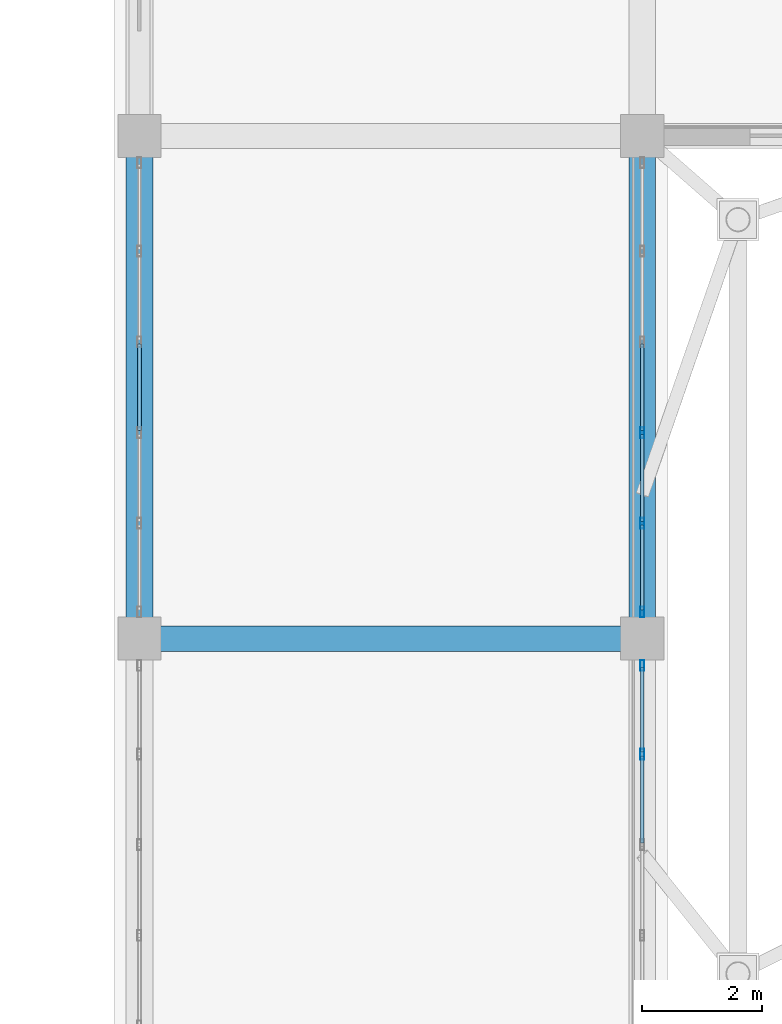
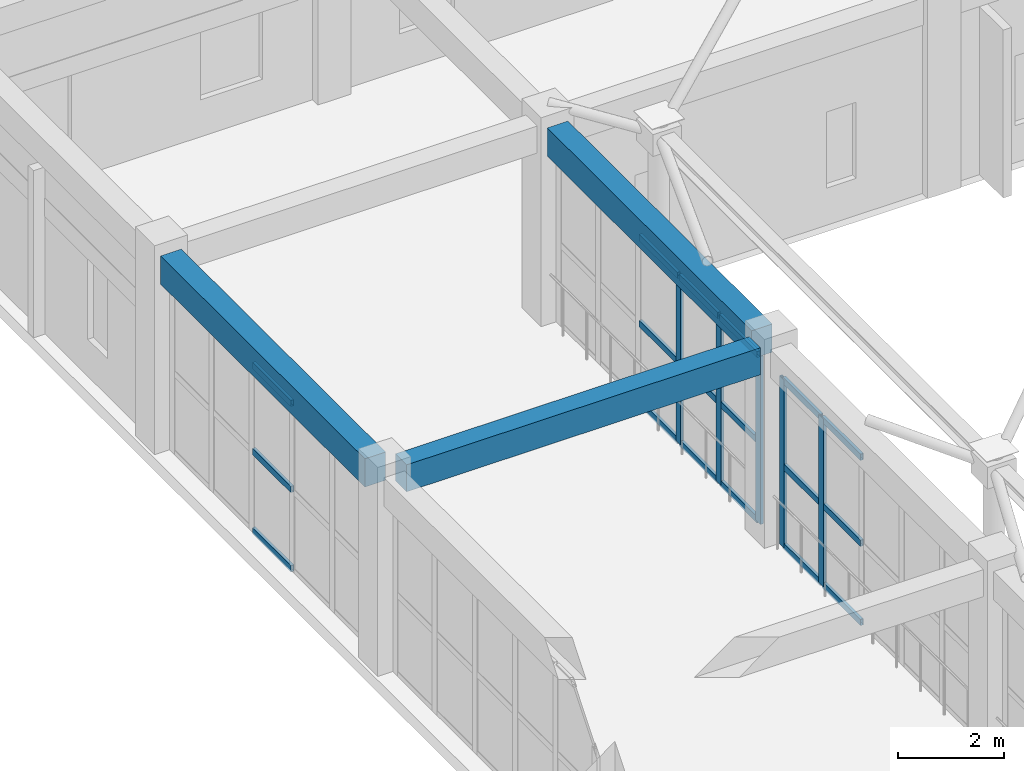
# One storey, part 97 of 158: 23 members, 3 beams, 3 elements without a shape of their own.
"""IFC4 building model written with IfcOpenShell, lengths in metres."""

from ifc_helpers import new_model, si_unit, direction, frame, origin, origin_2d, place, context, subcontext, project, spatial, rectangle, hollow_rectangle, extrude, material, layer, layer_set, material_profile, profile_set, type_object, element, aggregate, save


model = new_model("IFC4")

# Units and contexts
model_context = context("Model", 3, precision=1e-05, world=origin(), true_north=direction((0.0, 1.0)))
body_context = subcontext(model_context, "Body", "Model", "MODEL_VIEW")
ifc_project = project(units=[si_unit("LENGTHUNIT", "METRE"), si_unit("AREAUNIT", "SQUARE_METRE"), si_unit("VOLUMEUNIT", "CUBIC_METRE"), si_unit("PLANEANGLEUNIT", "RADIAN"), si_unit("MASSUNIT", "GRAM", prefix="KILO")], contexts=[model_context])

# Site, building, storey
site_placement = place(None, origin())
site = spatial("IfcSite", under=ifc_project, at=site_placement, CompositionType="ELEMENT")
building_placement = place(site_placement, origin())
building = spatial("IfcBuilding", under=site, at=building_placement, Name="Trelvath General Hospital", CompositionType="ELEMENT")
storey_placement = place(building_placement, frame((0.0, 0.0, 8.10009765625)))
storey = spatial("IfcBuildingStorey", under=building, at=storey_placement, Name="L02", CompositionType="ELEMENT", Elevation=8.10009765625)

# Beams
ifc_material_1 = material(Name="Concrete C35/45", Category="concrete")
ifc_material_profile_1 = material_profile(ifc_material_1, rectangle(XDim=0.419921875, YDim=0.6201171875, at=origin_2d()), Name="RCB420x620")
ifc_profile_set_1 = profile_set([ifc_material_profile_1], Name="Concrete C35/45")
beam_type_1 = type_object("IfcBeamType", Name="Beam RC420x620", PredefinedType="BEAM", material=ifc_profile_set_1)
beam_placement = place(storey_placement, frame((134.7548828125, 58.800048828125, 4.2099609375), z_axis=(1.0, 0.0, 0.0), x_axis=(0.0, 1.0, 0.0)))
element("IfcBeam", 1, at=beam_placement, inside=storey, type_object=beam_type_1, Name="Grid Beam BX-216H", PredefinedType="BEAM", context=body_context, shape_type="SweptSolid", body=[
    extrude(rectangle(XDim=0.419921875, YDim=0.6201171875, at=origin_2d()), origin(), (0.0, 0.0, 1.0), 7.690185546875),
])
ifc_material_2 = material(Name="Concrete C35/45", Category="concrete")
ifc_material_profile_2 = material_profile(ifc_material_2, rectangle(XDim=0.449951171875, YDim=0.64990234375, at=origin_2d()), Name="RCB450x650")
ifc_profile_set_2 = profile_set([ifc_material_profile_2], Name="Concrete C35/45")
beam_type_2 = type_object("IfcBeamType", Name="Beam RC450x650", PredefinedType="BEAM", material=ifc_profile_set_2)
for number, where, z_axis, x_axis, name in (
    (2, (134.39990234375, 59.155029296875, 4.19482421875), (0.0, 1.0, 0.0), (-1.0, 0.0, 0.0), "Grid Beam BY-216H"),
    (3, (142.800048828125, 59.155029296875, 4.19482421875), (0.0, 1.0, 0.0), (-1.0, 0.0, 0.0), "Grid Beam BY-217H"),
):
    element("IfcBeam", number, at=place(storey_placement, frame(where, z_axis=z_axis, x_axis=x_axis)), inside=storey, type_object=beam_type_2, Name=name, PredefinedType="BEAM", context=body_context, shape_type="SweptSolid", body=[
        extrude(rectangle(XDim=0.449951171875, YDim=0.64990234375, at=origin_2d()), origin(), (0.0, 0.0, 1.0), 7.68994140625),
    ])

# Curtain wall, members
ifc_material_3 = material(Name="Anodised aluminium and low-E glass", Category="aluminium")
ifc_layer = layer(ifc_material_3, 0.179931640625)
ifc_layer_set = layer_set([ifc_layer], Name="Anodised aluminium and low-E glass")
curtain_wall_type = type_object("IfcCurtainWallType", Name="CW Facade 757 386 18", PredefinedType="USERDEFINED", material=ifc_layer_set)
curtain_wall_1_placement = place(storey_placement, origin())
curtain_wall_1 = element("IfcCurtainWall", 4, at=curtain_wall_1_placement, inside=storey, type_object=curtain_wall_type, Name="Facade Curtain Wall CW-053", ObjectType="Unitised Glazed Curtain Wall", PredefinedType="USERDEFINED")
ifc_material_4 = material(Name="Anodised aluminium", Category="aluminium")
ifc_material_profile_3 = material_profile(ifc_material_4, hollow_rectangle(XDim=0.06494140625, YDim=0.179931640625, WallThickness=0.0048828125, at=origin_2d()), Name="RHS65x180x5")
ifc_profile_set_3 = profile_set([ifc_material_profile_3], Name="Anodised aluminium")
member_type_1 = type_object("IfcMemberType", Name="CurtainMullion 65x180", PredefinedType="MULLION", material=ifc_profile_set_3)
member_1_placement = place(storey_placement, frame((142.800048828125, 58.3525390625, 0.0), z_axis=(0.0, 0.0, 1.0), x_axis=(1.0, 0.0, 0.0)))
member_1 = element("IfcMember", 5, at=member_1_placement, type_object=member_type_1, Name="CW-053 mullion 1", PredefinedType="MULLION", context=body_context, shape_type="SweptSolid", body=[
    extrude(hollow_rectangle(XDim=0.06494140625, YDim=0.179931640625, WallThickness=0.0048828125, at=origin_2d()), origin(), (0.0, 0.0, 1.0), 3.85986328125),
])
member_2_placement = place(storey_placement, frame((142.800048828125, 56.87109375, 0.0), z_axis=(0.0, 0.0, 1.0), x_axis=(1.0, 0.0, 0.0)))
member_2 = element("IfcMember", 6, at=member_2_placement, type_object=member_type_1, Name="CW-053 mullion 2", PredefinedType="MULLION", context=body_context, shape_type="SweptSolid", body=[
    extrude(hollow_rectangle(XDim=0.06494140625, YDim=0.179931640625, WallThickness=0.0048828125, at=origin_2d()), origin(), (0.0, 0.0, 1.0), 3.85986328125),
])

curtain_wall_2_placement = place(storey_placement, origin())
curtain_wall_2 = element("IfcCurtainWall", 7, at=curtain_wall_2_placement, inside=storey, type_object=curtain_wall_type, Name="Facade Curtain Wall CW-055", ObjectType="Unitised Glazed Curtain Wall", PredefinedType="USERDEFINED")
member_3_placement = place(storey_placement, frame((142.800048828125, 62.242919921875, 0.0), z_axis=(0.0, 0.0, 1.0), x_axis=(1.0, 0.0, 0.0)))
member_3 = element("IfcMember", 8, at=member_3_placement, type_object=member_type_1, Name="CW-055 mullion 4", PredefinedType="MULLION", context=body_context, shape_type="SweptSolid", body=[
    extrude(hollow_rectangle(XDim=0.06494140625, YDim=0.179931640625, WallThickness=0.0048828125, at=origin_2d()), origin(), (0.0, 0.0, 1.0), 3.85986328125),
])
member_4_placement = place(storey_placement, frame((142.800048828125, 60.72900390625, 0.0), z_axis=(0.0, 0.0, 1.0), x_axis=(1.0, 0.0, 0.0)))
member_4 = element("IfcMember", 9, at=member_4_placement, type_object=member_type_1, Name="CW-055 mullion 5", PredefinedType="MULLION", context=body_context, shape_type="SweptSolid", body=[
    extrude(hollow_rectangle(XDim=0.06494140625, YDim=0.179931640625, WallThickness=0.0048828125, at=origin_2d()), origin(), (0.0, 0.0, 1.0), 3.85986328125),
])
member_5_placement = place(storey_placement, frame((142.800048828125, 59.24755859375, 0.0), z_axis=(0.0, 0.0, 1.0), x_axis=(1.0, 0.0, 0.0)))
member_5 = element("IfcMember", 10, at=member_5_placement, type_object=member_type_1, Name="CW-055 mullion 6", PredefinedType="MULLION", context=body_context, shape_type="SweptSolid", body=[
    extrude(hollow_rectangle(XDim=0.06494140625, YDim=0.179931640625, WallThickness=0.0048828125, at=origin_2d()), origin(), (0.0, 0.0, 1.0), 3.85986328125),
])

# Member
ifc_material_5 = material(Name="Anodised aluminium", Category="aluminium")
ifc_material_profile_4 = material_profile(ifc_material_5, hollow_rectangle(XDim=0.06494140625, YDim=0.14501953125, WallThickness=0.00390625, at=origin_2d()), Name="RHS65x145x4")
ifc_profile_set_4 = profile_set([ifc_material_profile_4], Name="Anodised aluminium")
member_type_2 = type_object("IfcMemberType", Name="CurtainTransom 65x145", PredefinedType="USERDEFINED", material=ifc_profile_set_4)
member_6_placement = place(storey_placement, frame((142.800048828125, 58.320068359375, 0.032470703125), z_axis=(0.0, -1.0, 0.0), x_axis=(1.0, 0.0, 0.0)))
member_6 = element("IfcMember", 11, at=member_6_placement, type_object=member_type_2, Name="CW-053 transom 1.1", ObjectType="TRANSOM", PredefinedType="USERDEFINED", context=body_context, shape_type="SweptSolid", body=[
    extrude(hollow_rectangle(XDim=0.06494140625, YDim=0.14501953125, WallThickness=0.00390625, at=origin_2d()), origin(), (0.0, 0.0, 1.0), 1.41650390625),
])

member_7_placement = place(storey_placement, frame((142.800048828125, 58.320068359375, 1.852783203125), z_axis=(0.0, -1.0, 0.0), x_axis=(1.0, 0.0, 0.0)))
member_7 = element("IfcMember", 12, at=member_7_placement, type_object=member_type_2, Name="CW-053 transom 1.2", ObjectType="TRANSOM", PredefinedType="USERDEFINED", context=body_context, shape_type="SweptSolid", body=[
    extrude(hollow_rectangle(XDim=0.06494140625, YDim=0.14501953125, WallThickness=0.00390625, at=origin_2d()), origin(), (0.0, 0.0, 1.0), 1.41650390625),
])

member_8_placement = place(storey_placement, frame((142.800048828125, 58.320068359375, 3.827392578125), z_axis=(0.0, -1.0, 0.0), x_axis=(1.0, 0.0, 0.0)))
member_8 = element("IfcMember", 13, at=member_8_placement, type_object=member_type_2, Name="CW-053 transom 1.3", ObjectType="TRANSOM", PredefinedType="USERDEFINED", context=body_context, shape_type="SweptSolid", body=[
    extrude(hollow_rectangle(XDim=0.06494140625, YDim=0.14501953125, WallThickness=0.00390625, at=origin_2d()), origin(), (0.0, 0.0, 1.0), 1.41650390625),
])

member_9_placement = place(storey_placement, frame((142.800048828125, 56.83837890625, 0.032470703125), z_axis=(0.0, -1.0, 0.0), x_axis=(1.0, 0.0, 0.0)))
member_9 = element("IfcMember", 14, at=member_9_placement, type_object=member_type_2, Name="CW-053 transom 2.1", ObjectType="TRANSOM", PredefinedType="USERDEFINED", context=body_context, shape_type="SweptSolid", body=[
    extrude(hollow_rectangle(XDim=0.06494140625, YDim=0.14501953125, WallThickness=0.00390625, at=origin_2d()), origin(), (0.0, 0.0, 1.0), 1.448974609375),
])

member_10_placement = place(storey_placement, frame((142.800048828125, 56.83837890625, 1.852783203125), z_axis=(0.0, -1.0, 0.0), x_axis=(1.0, 0.0, 0.0)))
member_10 = element("IfcMember", 15, at=member_10_placement, type_object=member_type_2, Name="CW-053 transom 2.2", ObjectType="TRANSOM", PredefinedType="USERDEFINED", context=body_context, shape_type="SweptSolid", body=[
    extrude(hollow_rectangle(XDim=0.06494140625, YDim=0.14501953125, WallThickness=0.00390625, at=origin_2d()), origin(), (0.0, 0.0, 1.0), 1.448974609375),
])

member_11_placement = place(storey_placement, frame((142.800048828125, 56.83837890625, 3.827392578125), z_axis=(0.0, -1.0, 0.0), x_axis=(1.0, 0.0, 0.0)))
member_11 = element("IfcMember", 16, at=member_11_placement, type_object=member_type_2, Name="CW-053 transom 2.3", ObjectType="TRANSOM", PredefinedType="USERDEFINED", context=body_context, shape_type="SweptSolid", body=[
    extrude(hollow_rectangle(XDim=0.06494140625, YDim=0.14501953125, WallThickness=0.00390625, at=origin_2d()), origin(), (0.0, 0.0, 1.0), 1.448974609375),
])

aggregate(curtain_wall_1, [member_1, member_2, member_6, member_7, member_8, member_9, member_10, member_11])

# Curtain wall, members
curtain_wall_3_placement = place(storey_placement, origin())
curtain_wall_3 = element("IfcCurtainWall", 17, at=curtain_wall_3_placement, inside=storey, type_object=curtain_wall_type, Name="Facade Curtain Wall CW-054", ObjectType="Unitised Glazed Curtain Wall", PredefinedType="USERDEFINED")
member_12_placement = place(storey_placement, frame((134.39990234375, 62.275390625, 0.032470703125), z_axis=(0.0, 1.0, 0.0), x_axis=(-1.0, 0.0, 0.0)))
member_12 = element("IfcMember", 18, at=member_12_placement, type_object=member_type_2, Name="CW-054 transom 3.1", ObjectType="TRANSOM", PredefinedType="USERDEFINED", context=body_context, shape_type="SweptSolid", body=[
    extrude(hollow_rectangle(XDim=0.06494140625, YDim=0.14501953125, WallThickness=0.00390625, at=origin_2d()), origin(), (0.0, 0.0, 1.0), 1.44921875),
])
member_13_placement = place(storey_placement, frame((134.39990234375, 62.275390625, 1.852783203125), z_axis=(0.0, 1.0, 0.0), x_axis=(-1.0, 0.0, 0.0)))
member_13 = element("IfcMember", 19, at=member_13_placement, type_object=member_type_2, Name="CW-054 transom 3.2", ObjectType="TRANSOM", PredefinedType="USERDEFINED", context=body_context, shape_type="SweptSolid", body=[
    extrude(hollow_rectangle(XDim=0.06494140625, YDim=0.14501953125, WallThickness=0.00390625, at=origin_2d()), origin(), (0.0, 0.0, 1.0), 1.44921875),
])
member_14_placement = place(storey_placement, frame((134.39990234375, 62.275390625, 3.827392578125), z_axis=(0.0, 1.0, 0.0), x_axis=(-1.0, 0.0, 0.0)))
member_14 = element("IfcMember", 20, at=member_14_placement, type_object=member_type_2, Name="CW-054 transom 3.3", ObjectType="TRANSOM", PredefinedType="USERDEFINED", context=body_context, shape_type="SweptSolid", body=[
    extrude(hollow_rectangle(XDim=0.06494140625, YDim=0.14501953125, WallThickness=0.00390625, at=origin_2d()), origin(), (0.0, 0.0, 1.0), 1.44921875),
])
aggregate(curtain_wall_3, [member_12, member_13, member_14])

# Member
member_15_placement = place(storey_placement, frame((142.800048828125, 63.724609375, 0.032470703125), z_axis=(0.0, -1.0, 0.0), x_axis=(1.0, 0.0, 0.0)))
member_15 = element("IfcMember", 21, at=member_15_placement, type_object=member_type_2, Name="CW-055 transom 3.1", ObjectType="TRANSOM", PredefinedType="USERDEFINED", context=body_context, shape_type="SweptSolid", body=[
    extrude(hollow_rectangle(XDim=0.06494140625, YDim=0.14501953125, WallThickness=0.00390625, at=origin_2d()), origin(), (0.0, 0.0, 1.0), 1.44921875),
])

member_16_placement = place(storey_placement, frame((142.800048828125, 63.724609375, 1.852783203125), z_axis=(0.0, -1.0, 0.0), x_axis=(1.0, 0.0, 0.0)))
member_16 = element("IfcMember", 22, at=member_16_placement, type_object=member_type_2, Name="CW-055 transom 3.2", ObjectType="TRANSOM", PredefinedType="USERDEFINED", context=body_context, shape_type="SweptSolid", body=[
    extrude(hollow_rectangle(XDim=0.06494140625, YDim=0.14501953125, WallThickness=0.00390625, at=origin_2d()), origin(), (0.0, 0.0, 1.0), 1.44921875),
])

member_17_placement = place(storey_placement, frame((142.800048828125, 63.724609375, 3.827392578125), z_axis=(0.0, -1.0, 0.0), x_axis=(1.0, 0.0, 0.0)))
member_17 = element("IfcMember", 23, at=member_17_placement, type_object=member_type_2, Name="CW-055 transom 3.3", ObjectType="TRANSOM", PredefinedType="USERDEFINED", context=body_context, shape_type="SweptSolid", body=[
    extrude(hollow_rectangle(XDim=0.06494140625, YDim=0.14501953125, WallThickness=0.00390625, at=origin_2d()), origin(), (0.0, 0.0, 1.0), 1.44921875),
])

member_18_placement = place(storey_placement, frame((142.800048828125, 62.21044921875, 0.032470703125), z_axis=(0.0, -1.0, 0.0), x_axis=(1.0, 0.0, 0.0)))
member_18 = element("IfcMember", 24, at=member_18_placement, type_object=member_type_2, Name="CW-055 transom 4.1", ObjectType="TRANSOM", PredefinedType="USERDEFINED", context=body_context, shape_type="SweptSolid", body=[
    extrude(hollow_rectangle(XDim=0.06494140625, YDim=0.14501953125, WallThickness=0.00390625, at=origin_2d()), origin(), (0.0, 0.0, 1.0), 1.448974609375),
])

member_19_placement = place(storey_placement, frame((142.800048828125, 62.21044921875, 1.852783203125), z_axis=(0.0, -1.0, 0.0), x_axis=(1.0, 0.0, 0.0)))
member_19 = element("IfcMember", 25, at=member_19_placement, type_object=member_type_2, Name="CW-055 transom 4.2", ObjectType="TRANSOM", PredefinedType="USERDEFINED", context=body_context, shape_type="SweptSolid", body=[
    extrude(hollow_rectangle(XDim=0.06494140625, YDim=0.14501953125, WallThickness=0.00390625, at=origin_2d()), origin(), (0.0, 0.0, 1.0), 1.448974609375),
])

member_20_placement = place(storey_placement, frame((142.800048828125, 62.21044921875, 3.827392578125), z_axis=(0.0, -1.0, 0.0), x_axis=(1.0, 0.0, 0.0)))
member_20 = element("IfcMember", 26, at=member_20_placement, type_object=member_type_2, Name="CW-055 transom 4.3", ObjectType="TRANSOM", PredefinedType="USERDEFINED", context=body_context, shape_type="SweptSolid", body=[
    extrude(hollow_rectangle(XDim=0.06494140625, YDim=0.14501953125, WallThickness=0.00390625, at=origin_2d()), origin(), (0.0, 0.0, 1.0), 1.448974609375),
])

member_21_placement = place(storey_placement, frame((142.800048828125, 60.696533203125, 0.032470703125), z_axis=(0.0, -1.0, 0.0), x_axis=(1.0, 0.0, 0.0)))
member_21 = element("IfcMember", 27, at=member_21_placement, type_object=member_type_2, Name="CW-055 transom 5.1", ObjectType="TRANSOM", PredefinedType="USERDEFINED", context=body_context, shape_type="SweptSolid", body=[
    extrude(hollow_rectangle(XDim=0.06494140625, YDim=0.14501953125, WallThickness=0.00390625, at=origin_2d()), origin(), (0.0, 0.0, 1.0), 1.41650390625),
])

member_22_placement = place(storey_placement, frame((142.800048828125, 60.696533203125, 1.852783203125), z_axis=(0.0, -1.0, 0.0), x_axis=(1.0, 0.0, 0.0)))
member_22 = element("IfcMember", 28, at=member_22_placement, type_object=member_type_2, Name="CW-055 transom 5.2", ObjectType="TRANSOM", PredefinedType="USERDEFINED", context=body_context, shape_type="SweptSolid", body=[
    extrude(hollow_rectangle(XDim=0.06494140625, YDim=0.14501953125, WallThickness=0.00390625, at=origin_2d()), origin(), (0.0, 0.0, 1.0), 1.41650390625),
])

member_23_placement = place(storey_placement, frame((142.800048828125, 60.696533203125, 3.827392578125), z_axis=(0.0, -1.0, 0.0), x_axis=(1.0, 0.0, 0.0)))
member_23 = element("IfcMember", 29, at=member_23_placement, type_object=member_type_2, Name="CW-055 transom 5.3", ObjectType="TRANSOM", PredefinedType="USERDEFINED", context=body_context, shape_type="SweptSolid", body=[
    extrude(hollow_rectangle(XDim=0.06494140625, YDim=0.14501953125, WallThickness=0.00390625, at=origin_2d()), origin(), (0.0, 0.0, 1.0), 1.41650390625),
])

aggregate(curtain_wall_2, [member_3, member_4, member_5, member_15, member_16, member_17, member_18, member_19, member_20, member_21, member_22, member_23])

save(model, "model.ifc")
